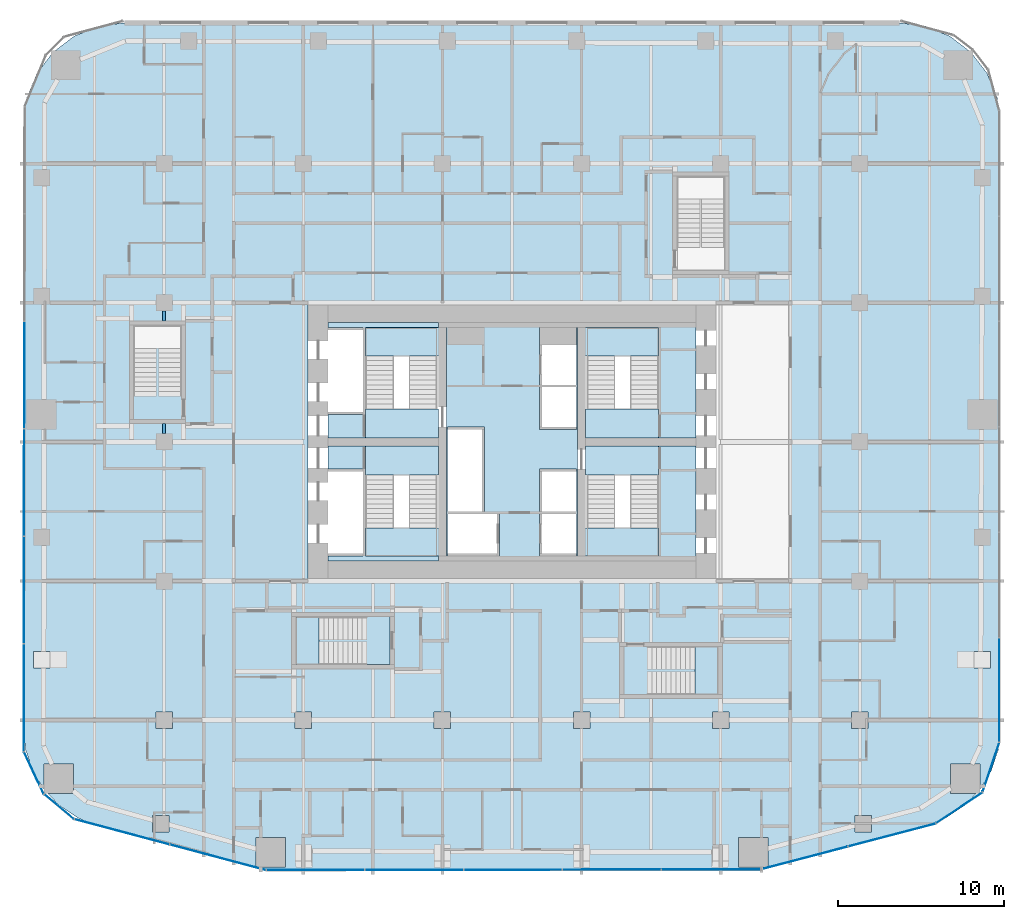
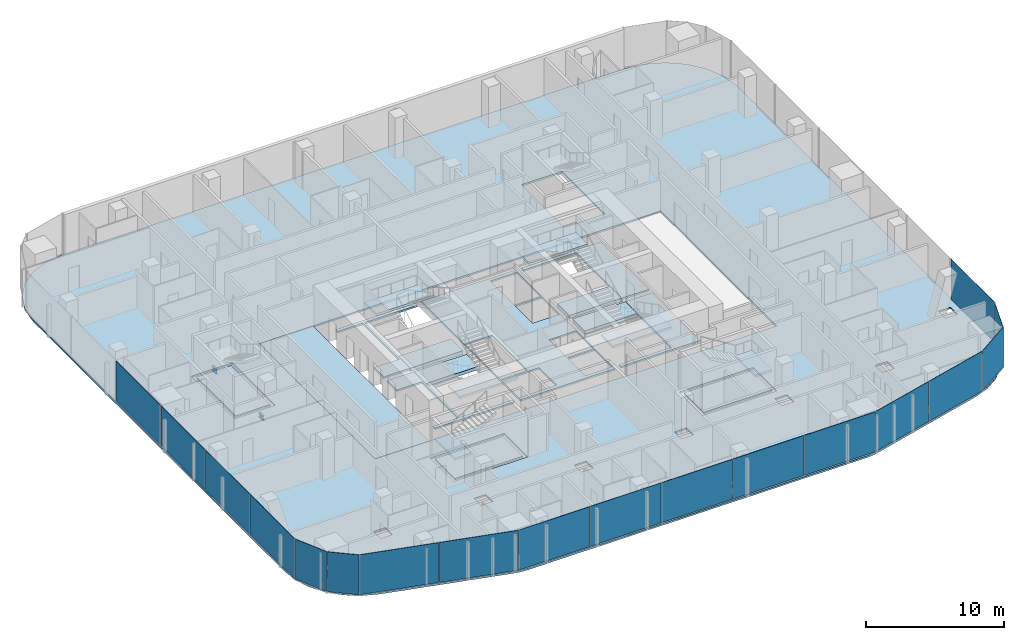
# One storey, part 15 of 27: 20 slabs, 18 plates, 2 beams, 15 elements without a shape of their own.
"""IFC4 building model written with IfcOpenShell, lengths in metres."""

from ifc_helpers import new_model, si_unit, direction, frame, origin, origin_2d, place, context, subcontext, project, spatial, polyline, rectangle, i_section, outline, extrude, material, layer, layer_set, material_profile, profile_set, type_object, element, aggregate, save


model = new_model("IFC4")

# Units and contexts
model_context = context("Model", 3, precision=1e-05, world=origin(), true_north=direction((0.0, 1.0)))
body_context = subcontext(model_context, "Body", "Model", "MODEL_VIEW")
ifc_project = project(units=[si_unit("LENGTHUNIT", "METRE"), si_unit("AREAUNIT", "SQUARE_METRE"), si_unit("VOLUMEUNIT", "CUBIC_METRE"), si_unit("PLANEANGLEUNIT", "RADIAN"), si_unit("MASSUNIT", "GRAM", prefix="KILO")], contexts=[model_context])

# Site, building, storey
site_placement = place(None, origin())
site = spatial("IfcSite", under=ifc_project, at=site_placement, CompositionType="ELEMENT")
building_placement = place(site_placement, origin())
building = spatial("IfcBuilding", under=site, at=building_placement, Name="Marenta Gate Hotel Tower", CompositionType="ELEMENT")
storey_placement = place(building_placement, frame((0.0, 0.0, 36.5)))
storey = spatial("IfcBuildingStorey", under=building, at=storey_placement, Name="L06", CompositionType="ELEMENT", Elevation=36.5)

# Beams
ifc_material_1 = material(Name="Steel S355", Category="steel")
ifc_material_profile = material_profile(ifc_material_1, i_section(OverallWidth=0.179931640625, OverallDepth=0.39990234375, WebThickness=0.008544921875, FlangeThickness=0.013427734375, FilletRadius=0.02099609375, at=origin_2d()), Name="IPE 400")
ifc_profile_set = profile_set([ifc_material_profile], Name="Steel S355")
beam_type = type_object("IfcBeamType", Name="Floor beam IPE 400", PredefinedType="JOIST", material=ifc_profile_set)
for number, where, z_axis, x_axis, name in (
    (1, (-21.0, 8.89990234375, -0.35009765625), (0.0, 1.0, 0.0), (-1.0, 0.0, 0.0), "L06-FB-10"),
    (2, (-21.0, 15.699951171875, -0.35009765625), (0.0, 1.0, 0.0), (-1.0, 0.0, 0.0), "L06-FB-11"),
):
    element("IfcBeam", number, at=place(storey_placement, frame(where, z_axis=z_axis, x_axis=x_axis)), inside=storey, type_object=beam_type, Name=name, PredefinedType="JOIST", context=body_context, shape_type="SweptSolid", body=[
        extrude(i_section(OverallWidth=0.179931640625, OverallDepth=0.39990234375, WebThickness=0.008544921875, FlangeThickness=0.013427734375, FilletRadius=0.02099609375, at=origin_2d()), origin(), (0.0, 0.0, 1.0), 0.60009765625),
    ])

# Slabs
ifc_material_2 = material(Name="Concrete C35", Category="concrete")
ifc_layer_1 = layer(ifc_material_2, 0.14990234375)
ifc_layer_set_1 = layer_set([ifc_layer_1], Name="Concrete C35")
slab_type_1 = type_object("IfcSlabType", Name="Composite floor slab 150", PredefinedType="FLOOR", material=ifc_layer_set_1)
slab_1_placement = place(storey_placement, frame((0.0, 0.0, -0.14990234375)))
element("IfcSlab", 3, at=slab_1_placement, inside=storey, type_object=slab_type_1, Name="L06-SL-1", PredefinedType="FLOOR", context=body_context, shape_type="SweptSolid", body=[
    extrude(outline(polyline([(-27.313720703125, -13.56396484375), (-28.015625, -12.8330078125), (-26.462890625, -12.8330078125), (-26.462890625, -11.032958984375), (-28.262939453125, -11.032958984375), (-28.262939453125, -12.55859375), (-28.927001953125, -11.467041015625), (-29.35546875, -10.20703125), (-29.5, -8.889892578125), (-29.5, 27.6064453125), (-29.29296875, 29.178955078125), (-28.68359375, 30.650390625), (-27.7138671875, 31.913818359375), (-26.450439453125, 32.883544921875), (-24.97900390625, 33.492919921875), (-23.406494140625, 33.699951171875), (23.406494140625, 33.699951171875), (24.97900390625, 33.492919921875), (26.450439453125, 32.883544921875), (27.7138671875, 31.913818359375), (28.68359375, 30.650390625), (29.29296875, 29.178955078125), (29.5, 27.6064453125), (29.5, -8.889892578125), (29.35546875, -10.20703125), (28.927001953125, -11.467041015625), (28.262939453125, -12.55859375), (28.262939453125, -11.032958984375), (26.462890625, -11.032958984375), (26.462890625, -12.8330078125), (28.015625, -12.8330078125), (27.313720703125, -13.56396484375), (26.205810546875, -14.30126953125), (24.969482421875, -14.77880859375), (15.2265625, -17.36376953125), (14.70849609375, -17.4658203125), (14.181640625, -17.5), (-14.181640625, -17.5), (-14.70849609375, -17.4658203125), (-15.2265625, -17.36376953125), (-24.969482421875, -14.77880859375), (-26.205810546875, -14.30126953125), (-27.313720703125, -13.56396484375)]), holes=[polyline([(-16.800048828125, 0.0), (16.800048828125, 0.0), (16.800048828125, 16.800048828125), (-16.800048828125, 16.800048828125), (-16.800048828125, 0.0)]), polyline([(-15.46630859375, -17.27490234375), (-13.666259765625, -17.27490234375), (-13.666259765625, -15.474853515625), (-15.46630859375, -15.474853515625), (-15.46630859375, -17.27490234375)]), polyline([(-21.706787109375, -14.13916015625), (-21.706787109375, -15.13916015625), (-20.706787109375, -15.13916015625), (-20.706787109375, -14.13916015625), (-21.706787109375, -14.13916015625)]), polyline([(-21.5, -7.89990234375), (-21.5, -8.89990234375), (-20.5, -8.89990234375), (-20.5, -7.89990234375), (-21.5, -7.89990234375)]), polyline([(-13.10009765625, -7.89990234375), (-13.10009765625, -8.89990234375), (-12.10009765625, -8.89990234375), (-12.10009765625, -7.89990234375), (-13.10009765625, -7.89990234375)]), polyline([(-4.699951171875, -7.89990234375), (-4.699951171875, -8.89990234375), (-3.699951171875, -8.89990234375), (-3.699951171875, -7.89990234375), (-4.699951171875, -7.89990234375)]), polyline([(-28.89990234375, -4.251953125), (-28.89990234375, -5.251953125), (-27.89990234375, -5.251953125), (-27.89990234375, -4.251953125), (-28.89990234375, -4.251953125)]), polyline([(13.666259765625, -17.27490234375), (15.46630859375, -17.27490234375), (15.46630859375, -15.474853515625), (13.666259765625, -15.474853515625), (13.666259765625, -17.27490234375)]), polyline([(20.706787109375, -14.13916015625), (20.706787109375, -15.13916015625), (21.706787109375, -15.13916015625), (21.706787109375, -14.13916015625), (20.706787109375, -14.13916015625)]), polyline([(3.699951171875, -7.89990234375), (3.699951171875, -8.89990234375), (4.699951171875, -8.89990234375), (4.699951171875, -7.89990234375), (3.699951171875, -7.89990234375)]), polyline([(12.10009765625, -7.89990234375), (12.10009765625, -8.89990234375), (13.10009765625, -8.89990234375), (13.10009765625, -7.89990234375), (12.10009765625, -7.89990234375)]), polyline([(20.5, -7.89990234375), (20.5, -8.89990234375), (21.5, -8.89990234375), (21.5, -7.89990234375), (20.5, -7.89990234375)]), polyline([(27.89990234375, -4.251953125), (27.89990234375, -5.251953125), (28.89990234375, -5.251953125), (28.89990234375, -4.251953125), (27.89990234375, -4.251953125)]), polyline([(6.5, -7.10009765625), (12.699951171875, -7.10009765625), (12.699951171875, -3.699951171875), (6.5, -3.699951171875), (6.5, -7.10009765625)]), polyline([(-13.300048828125, -5.300048828125), (-7.10009765625, -5.300048828125), (-7.10009765625, -1.89990234375), (-13.300048828125, -1.89990234375), (-13.300048828125, -5.300048828125)]), polyline([(-23.10009765625, 9.5), (-19.699951171875, 9.5), (-19.699951171875, 15.699951171875), (-23.10009765625, 15.699951171875), (-23.10009765625, 9.5)]), polyline([(9.699951171875, 18.5), (13.10009765625, 18.5), (13.10009765625, 24.699951171875), (9.699951171875, 24.699951171875), (9.699951171875, 18.5)])]), origin(), (0.0, 0.0, 1.0), 0.14990234375),
])
ifc_material_3 = material(Name="Concrete C40", Category="concrete")
ifc_layer_2 = layer(ifc_material_3, 0.14990234375)
ifc_layer_set_2 = layer_set([ifc_layer_2], Name="Concrete C40")
slab_type_2 = type_object("IfcSlabType", Name="Core floor slab 150", PredefinedType="FLOOR", material=ifc_layer_set_2)
slab_2_placement = place(storey_placement, frame((0.0, 0.0, -0.14990234375)))
element("IfcSlab", 4, at=slab_2_placement, inside=storey, type_object=slab_type_2, Name="L06-CF-2", PredefinedType="FLOOR", context=body_context, shape_type="SweptSolid", body=[
    extrude(outline(polyline([(8.85009765625, 1.5), (8.85009765625, 6.39990234375), (8.85009765625, 8.10009765625), (8.85009765625, 8.14990234375), (11.10009765625, 8.14990234375), (11.10009765625, 1.199951171875), (4.449951171875, 1.199951171875), (4.449951171875, 1.5), (8.85009765625, 1.5)])), origin(), (0.0, 0.0, 1.0), 0.14990234375),
])
slab_3_placement = place(storey_placement, frame((0.0, 0.0, -0.14990234375)))
element("IfcSlab", 5, at=slab_3_placement, inside=storey, type_object=slab_type_2, Name="L06-CF-3", PredefinedType="FLOOR", context=body_context, shape_type="SweptSolid", body=[
    extrude(outline(polyline([(8.85009765625, 15.300048828125), (4.449951171875, 15.300048828125), (4.449951171875, 15.60009765625), (11.10009765625, 15.60009765625), (11.10009765625, 8.64990234375), (8.85009765625, 8.64990234375), (8.85009765625, 8.699951171875), (8.85009765625, 10.39990234375), (8.85009765625, 15.300048828125)])), origin(), (0.0, 0.0, 1.0), 0.14990234375),
])
slab_4_placement = place(storey_placement, frame((0.0, 0.0, -0.14990234375)))
element("IfcSlab", 6, at=slab_4_placement, inside=storey, type_object=slab_type_2, Name="L06-CF-4", PredefinedType="FLOOR", context=body_context, shape_type="SweptSolid", body=[
    extrude(outline(polyline([(3.949951171875, 15.300048828125), (3.949951171875, 10.39990234375), (3.949951171875, 6.39990234375), (3.949951171875, 1.5), (3.949951171875, 1.199951171875), (-3.949951171875, 1.199951171875), (-3.949951171875, 1.5), (-3.949951171875, 6.39990234375), (-3.949951171875, 10.39990234375), (-3.949951171875, 15.300048828125), (-3.949951171875, 15.60009765625), (3.949951171875, 15.60009765625), (3.949951171875, 15.300048828125)]), holes=[polyline([(1.64990234375, 4.050048828125), (1.64990234375, 1.64990234375), (1.64990234375, 1.5), (3.89990234375, 1.5), (3.89990234375, 1.64990234375), (3.89990234375, 4.050048828125), (1.800048828125, 4.050048828125), (1.64990234375, 4.050048828125)]), polyline([(1.64990234375, 9.14990234375), (3.89990234375, 9.14990234375), (3.89990234375, 9.300048828125), (3.89990234375, 11.699951171875), (1.800048828125, 11.699951171875), (1.64990234375, 11.699951171875), (1.64990234375, 9.300048828125), (1.64990234375, 9.14990234375)]), polyline([(1.64990234375, 11.85009765625), (1.800048828125, 11.85009765625), (3.89990234375, 11.85009765625), (3.89990234375, 14.25), (3.89990234375, 15.300048828125), (1.64990234375, 15.300048828125), (1.64990234375, 14.25), (1.64990234375, 11.85009765625)]), polyline([(3.89990234375, 6.60009765625), (3.89990234375, 6.75), (1.64990234375, 6.75), (1.64990234375, 6.60009765625), (1.64990234375, 4.199951171875), (1.800048828125, 4.199951171875), (3.89990234375, 4.199951171875), (3.89990234375, 6.60009765625)]), polyline([(-3.89990234375, 1.5), (-0.89990234375, 1.5), (-0.75, 1.5), (-0.75, 4.050048828125), (-0.89990234375, 4.050048828125), (-3.89990234375, 4.050048828125), (-3.89990234375, 1.64990234375), (-3.89990234375, 1.5)]), polyline([(-1.64990234375, 4.199951171875), (-1.64990234375, 9.14990234375), (-1.64990234375, 9.300048828125), (-3.89990234375, 9.300048828125), (-3.89990234375, 9.14990234375), (-3.89990234375, 6.75), (-3.89990234375, 6.60009765625), (-3.89990234375, 4.199951171875), (-1.800048828125, 4.199951171875), (-1.64990234375, 4.199951171875)])]), origin(), (0.0, 0.0, 1.0), 0.14990234375),
])
slab_5_placement = place(storey_placement, frame((0.0, 0.0, -0.14990234375)))
element("IfcSlab", 7, at=slab_5_placement, inside=storey, type_object=slab_type_2, Name="L06-CF-5", PredefinedType="FLOOR", context=body_context, shape_type="SweptSolid", body=[
    extrude(outline(polyline([(-9.0, 1.5), (-9.0, 1.64990234375), (-9.0, 4.050048828125), (-9.0, 4.199951171875), (-9.0, 6.60009765625), (-9.0, 6.75), (-11.10009765625, 6.75), (-11.10009765625, 8.14990234375), (-8.85009765625, 8.14990234375), (-8.85009765625, 8.10009765625), (-8.85009765625, 6.39990234375), (-8.85009765625, 1.5), (-4.449951171875, 1.5), (-4.449951171875, 1.199951171875), (-11.10009765625, 1.199951171875), (-11.10009765625, 1.5), (-9.0, 1.5)])), origin(), (0.0, 0.0, 1.0), 0.14990234375),
])
slab_6_placement = place(storey_placement, frame((0.0, 0.0, -0.14990234375)))
element("IfcSlab", 8, at=slab_6_placement, inside=storey, type_object=slab_type_2, Name="L06-CF-6", PredefinedType="FLOOR", context=body_context, shape_type="SweptSolid", body=[
    extrude(outline(polyline([(-4.449951171875, 15.300048828125), (-8.85009765625, 15.300048828125), (-8.85009765625, 10.39990234375), (-8.85009765625, 8.699951171875), (-8.85009765625, 8.64990234375), (-11.10009765625, 8.64990234375), (-11.10009765625, 10.050048828125), (-9.0, 10.050048828125), (-9.0, 10.199951171875), (-9.0, 12.60009765625), (-9.0, 12.75), (-9.0, 15.14990234375), (-9.0, 15.300048828125), (-11.10009765625, 15.300048828125), (-11.10009765625, 15.60009765625), (-4.449951171875, 15.60009765625), (-4.449951171875, 15.300048828125)])), origin(), (0.0, 0.0, 1.0), 0.14990234375),
])
slab_7_placement = place(storey_placement, frame((0.0, 0.0, -0.14990234375)))
element("IfcSlab", 9, at=slab_7_placement, inside=storey, type_object=slab_type_2, Name="L06-CF-7", PredefinedType="FLOOR", context=body_context, shape_type="SweptSolid", body=[
    extrude(outline(polyline([(-12.300048828125, 16.800048828125), (-12.300048828125, 0.0), (-16.800048828125, 0.0), (-16.800048828125, 16.800048828125), (-12.300048828125, 16.800048828125)])), origin(), (0.0, 0.0, 1.0), 0.14990234375),
])

# Stair, slab
ifc_material_4 = material(Name="Concrete C40", Category="concrete")
stair_type_1 = type_object("IfcStairType", Name="Core exit stair 1700 wide", PredefinedType="HALF_TURN_STAIR", material=ifc_material_4)
stair_1_placement = place(storey_placement, origin())
stair_1 = element("IfcStair", 10, at=stair_1_placement, inside=storey, type_object=stair_type_1, Name="Exit stair 1", PredefinedType="HALF_TURN_STAIR")
ifc_material_5 = material(Name="Concrete C40", Category="concrete")
ifc_layer_3 = layer(ifc_material_5, 0.199951171875)
ifc_layer_set_3 = layer_set([ifc_layer_3], Name="Concrete C40")
slab_type_3 = type_object("IfcSlabType", Name="Core stair landing 200", PredefinedType="LANDING", material=ifc_layer_set_3)
slab_8_placement = place(storey_placement, frame((0.0, 0.0, 1.60009765625)))
slab_8 = element("IfcSlab", 11, at=slab_8_placement, type_object=slab_type_3, Name="SL-200 ST1 landing 1", PredefinedType="LANDING", context=body_context, shape_type="SweptSolid", body=[
    extrude(outline(polyline([(-8.85009765625, 1.5), (-3.949951171875, 1.5), (-3.949951171875, 3.2099609375), (-8.85009765625, 3.2099609375), (-8.85009765625, 1.5)])), origin(), (0.0, 0.0, 1.0), 0.199951171875),
])
aggregate(stair_1, [slab_8])

stair_2_placement = place(storey_placement, origin())
stair_2 = element("IfcStair", 12, at=stair_2_placement, inside=storey, type_object=stair_type_1, Name="Exit stair 2", PredefinedType="HALF_TURN_STAIR")
slab_9_placement = place(storey_placement, frame((0.0, 0.0, 1.60009765625)))
slab_9 = element("IfcSlab", 13, at=slab_9_placement, type_object=slab_type_3, Name="SL-200 ST2 landing 1", PredefinedType="LANDING", context=body_context, shape_type="SweptSolid", body=[
    extrude(outline(polyline([(-8.85009765625, 13.590087890625), (-3.949951171875, 13.590087890625), (-3.949951171875, 15.300048828125), (-8.85009765625, 15.300048828125), (-8.85009765625, 13.590087890625)])), origin(), (0.0, 0.0, 1.0), 0.199951171875),
])
aggregate(stair_2, [slab_9])

stair_3_placement = place(storey_placement, origin())
stair_3 = element("IfcStair", 14, at=stair_3_placement, inside=storey, type_object=stair_type_1, Name="Exit stair 3", PredefinedType="HALF_TURN_STAIR")
slab_10_placement = place(storey_placement, frame((0.0, 0.0, 1.60009765625)))
slab_10 = element("IfcSlab", 15, at=slab_10_placement, type_object=slab_type_3, Name="SL-200 ST3 landing 1", PredefinedType="LANDING", context=body_context, shape_type="SweptSolid", body=[
    extrude(outline(polyline([(3.949951171875, 1.5), (8.85009765625, 1.5), (8.85009765625, 3.2099609375), (3.949951171875, 3.2099609375), (3.949951171875, 1.5)])), origin(), (0.0, 0.0, 1.0), 0.199951171875),
])
aggregate(stair_3, [slab_10])

stair_4_placement = place(storey_placement, origin())
stair_4 = element("IfcStair", 16, at=stair_4_placement, inside=storey, type_object=stair_type_1, Name="Exit stair 4", PredefinedType="HALF_TURN_STAIR")
slab_11_placement = place(storey_placement, frame((0.0, 0.0, 1.60009765625)))
slab_11 = element("IfcSlab", 17, at=slab_11_placement, type_object=slab_type_3, Name="SL-200 ST4 landing 1", PredefinedType="LANDING", context=body_context, shape_type="SweptSolid", body=[
    extrude(outline(polyline([(3.949951171875, 13.590087890625), (8.85009765625, 13.590087890625), (8.85009765625, 15.300048828125), (3.949951171875, 15.300048828125), (3.949951171875, 13.590087890625)])), origin(), (0.0, 0.0, 1.0), 0.199951171875),
])
aggregate(stair_4, [slab_11])

# Curtain wall, plates
ifc_material_6 = material(Name="Tinted insulated glass in bronze anodised frame", Category="glass")
ifc_layer_4 = layer(ifc_material_6, 0.1201171875)
ifc_layer_set_4 = layer_set([ifc_layer_4], Name="Tinted insulated glass in bronze anodised frame")
curtain_wall_type = type_object("IfcCurtainWallType", Name="Tower unitised curtain wall CW1", PredefinedType="NOTDEFINED", material=ifc_layer_set_4)
curtain_wall_1_placement = place(storey_placement, origin())
curtain_wall_1 = element("IfcCurtainWall", 18, at=curtain_wall_1_placement, inside=storey, type_object=curtain_wall_type, Name="CW1 run G03", PredefinedType="NOTDEFINED")
ifc_material_7 = material(Name="Tinted insulated glass", Category="glass")
ifc_layer_5 = layer(ifc_material_7, 0.028076171875)
ifc_layer_set_5 = layer_set([ifc_layer_5], Name="Tinted insulated glass")
plate_type = type_object("IfcPlateType", Name="Glass panel CW1 28 mm tinted insulated unit", PredefinedType="CURTAIN_PANEL", material=ifc_layer_set_5)
plate_1_placement = place(storey_placement, frame((-29.437744140625, 12.440185546875, 0.06005859375), z_axis=(0.0, 0.0, 1.0), x_axis=(-0.00156642217, -0.99999877316, 0.0)))
plate_1 = element("IfcPlate", 19, at=plate_1_placement, type_object=plate_type, Name="CW1 panel 3.1", PredefinedType="CURTAIN_PANEL", context=body_context, shape_type="SweptSolid", body=[
    extrude(rectangle(XDim=6.430419921875, YDim=0.028076171875, at=origin_2d()), origin(), (0.0, 0.0, 1.0), 3.5400390625),
])
plate_2_placement = place(storey_placement, frame((-29.447998046875, 5.949951171875, 0.06005859375), z_axis=(0.0, 0.0, 1.0), x_axis=(-0.00156642217, -0.99999877316, 0.0)))
plate_2 = element("IfcPlate", 20, at=plate_2_placement, type_object=plate_type, Name="CW1 panel 4.1", PredefinedType="CURTAIN_PANEL", context=body_context, shape_type="SweptSolid", body=[
    extrude(rectangle(XDim=6.430419921875, YDim=0.028076171875, at=origin_2d()), origin(), (0.0, 0.0, 1.0), 3.5400390625),
])
plate_3_placement = place(storey_placement, frame((-29.4580078125, -0.54052734375, 0.06005859375), z_axis=(0.0, 0.0, 1.0), x_axis=(-0.00156642217, -0.99999877316, 0.0)))
plate_3 = element("IfcPlate", 21, at=plate_3_placement, type_object=plate_type, Name="CW1 panel 5.1", PredefinedType="CURTAIN_PANEL", context=body_context, shape_type="SweptSolid", body=[
    extrude(rectangle(XDim=6.430419921875, YDim=0.028076171875, at=origin_2d()), origin(), (0.0, 0.0, 1.0), 3.5400390625),
])
plate_4_placement = place(storey_placement, frame((-29.46826171875, -7.0458984375, 0.06005859375), z_axis=(0.0, 0.0, 1.0), x_axis=(-0.00156642217, -0.99999877316, 0.0)))
plate_4 = element("IfcPlate", 22, at=plate_4_placement, type_object=plate_type, Name="CW1 panel 6.1", PredefinedType="CURTAIN_PANEL", context=body_context, shape_type="SweptSolid", body=[
    extrude(rectangle(XDim=6.46044921875, YDim=0.028076171875, at=origin_2d()), origin(), (0.0, 0.0, 1.0), 3.5400390625),
])
aggregate(curtain_wall_1, [plate_1, plate_2, plate_3, plate_4])

# Curtain wall, plate
curtain_wall_2_placement = place(storey_placement, origin())
curtain_wall_2 = element("IfcCurtainWall", 23, at=curtain_wall_2_placement, inside=storey, type_object=curtain_wall_type, Name="CW1 run G04", PredefinedType="NOTDEFINED")
plate_5_placement = place(storey_placement, frame((-28.861083984375, -11.5859375, 0.06005859375), z_axis=(0.0, 0.0, 1.0), x_axis=(0.423341617441, -0.905970129167, 0.0)))
plate_5 = element("IfcPlate", 24, at=plate_5_placement, type_object=plate_type, Name="CW1 panel 1.1", PredefinedType="CURTAIN_PANEL", context=body_context, shape_type="SweptSolid", body=[
    extrude(rectangle(XDim=2.77197265625, YDim=0.028076171875, at=origin_2d()), origin(), (0.0, 0.0, 1.0), 3.5400390625),
])
aggregate(curtain_wall_2, [plate_5])

curtain_wall_3_placement = place(storey_placement, origin())
curtain_wall_3 = element("IfcCurtainWall", 25, at=curtain_wall_3_placement, inside=storey, type_object=curtain_wall_type, Name="CW1 run G05", PredefinedType="NOTDEFINED")
plate_6_placement = place(storey_placement, frame((-27.33984375, -13.623291015625, 0.06005859375), z_axis=(0.0, 0.0, 1.0), x_axis=(0.767113012445, -0.641511984407, 0.0)))
plate_6 = element("IfcPlate", 26, at=plate_6_placement, type_object=plate_type, Name="CW1 panel 1.1", PredefinedType="CURTAIN_PANEL", context=body_context, shape_type="SweptSolid", body=[
    extrude(rectangle(XDim=2.316650390625, YDim=0.028076171875, at=origin_2d()), origin(), (0.0, 0.0, 1.0), 3.5400390625),
])
aggregate(curtain_wall_3, [plate_6])

# Curtain wall, plates
curtain_wall_4_placement = place(storey_placement, origin())
curtain_wall_4 = element("IfcCurtainWall", 27, at=curtain_wall_4_placement, inside=storey, type_object=curtain_wall_type, Name="CW1 run G06", PredefinedType="NOTDEFINED")
plate_7_placement = place(storey_placement, frame((-23.541748046875, -15.140625, 0.06005859375), z_axis=(0.0, 0.0, 1.0), x_axis=(0.966373715782, -0.257141675823, 0.0)))
plate_7 = element("IfcPlate", 28, at=plate_7_placement, type_object=plate_type, Name="CW1 panel 1.1", PredefinedType="CURTAIN_PANEL", context=body_context, shape_type="SweptSolid", body=[
    extrude(rectangle(XDim=5.90185546875, YDim=0.028076171875, at=origin_2d()), origin(), (0.0, 0.0, 1.0), 3.5400390625),
])
plate_8_placement = place(storey_placement, frame((-17.751220703125, -16.681396484375, 0.06005859375), z_axis=(0.0, 0.0, 1.0), x_axis=(0.966373715782, -0.257141675823, 0.0)))
plate_8 = element("IfcPlate", 29, at=plate_8_placement, type_object=plate_type, Name="CW1 panel 2.1", PredefinedType="CURTAIN_PANEL", context=body_context, shape_type="SweptSolid", body=[
    extrude(rectangle(XDim=5.9619140625, YDim=0.028076171875, at=origin_2d()), origin(), (0.0, 0.0, 1.0), 3.5400390625),
])
aggregate(curtain_wall_4, [plate_7, plate_8])

curtain_wall_5_placement = place(storey_placement, origin())
curtain_wall_5 = element("IfcCurtainWall", 30, at=curtain_wall_5_placement, inside=storey, type_object=curtain_wall_type, Name="CW1 run G07", PredefinedType="NOTDEFINED")
plate_9_placement = place(storey_placement, frame((-11.869140625, -17.4443359375, 0.06005859375), z_axis=(0.0, 0.0, 1.0), x_axis=(0.999999324969, 0.001161921639, 0.0)))
plate_9 = element("IfcPlate", 31, at=plate_9_placement, type_object=plate_type, Name="CW1 panel 1.1", PredefinedType="CURTAIN_PANEL", context=body_context, shape_type="SweptSolid", body=[
    extrude(rectangle(XDim=5.8828125, YDim=0.028076171875, at=origin_2d()), origin(), (0.0, 0.0, 1.0), 3.5400390625),
])
plate_10_placement = place(storey_placement, frame((-5.911376953125, -17.4375, 0.06005859375), z_axis=(0.0, 0.0, 1.0), x_axis=(0.999999324969, 0.001161921639, 0.0)))
plate_10 = element("IfcPlate", 32, at=plate_10_placement, type_object=plate_type, Name="CW1 panel 2.1", PredefinedType="CURTAIN_PANEL", context=body_context, shape_type="SweptSolid", body=[
    extrude(rectangle(XDim=5.912841796875, YDim=0.028076171875, at=origin_2d()), origin(), (0.0, 0.0, 1.0), 3.5400390625),
])
plate_11_placement = place(storey_placement, frame((0.0615234375, -17.430419921875, 0.06005859375), z_axis=(0.0, 0.0, 1.0), x_axis=(0.999999324969, 0.001161921639, 0.0)))
plate_11 = element("IfcPlate", 33, at=plate_11_placement, type_object=plate_type, Name="CW1 panel 3.1", PredefinedType="CURTAIN_PANEL", context=body_context, shape_type="SweptSolid", body=[
    extrude(rectangle(XDim=5.912841796875, YDim=0.028076171875, at=origin_2d()), origin(), (0.0, 0.0, 1.0), 3.5400390625),
])
plate_12_placement = place(storey_placement, frame((6.034423828125, -17.423583984375, 0.06005859375), z_axis=(0.0, 0.0, 1.0), x_axis=(0.999999324969, 0.001161921639, 0.0)))
plate_12 = element("IfcPlate", 34, at=plate_12_placement, type_object=plate_type, Name="CW1 panel 4.1", PredefinedType="CURTAIN_PANEL", context=body_context, shape_type="SweptSolid", body=[
    extrude(rectangle(XDim=5.912841796875, YDim=0.028076171875, at=origin_2d()), origin(), (0.0, 0.0, 1.0), 3.5400390625),
])
plate_13_placement = place(storey_placement, frame((12.022216796875, -17.41650390625, 0.06005859375), z_axis=(0.0, 0.0, 1.0), x_axis=(0.999999324969, 0.001161921639, 0.0)))
plate_13 = element("IfcPlate", 35, at=plate_13_placement, type_object=plate_type, Name="CW1 panel 5.1", PredefinedType="CURTAIN_PANEL", context=body_context, shape_type="SweptSolid", body=[
    extrude(rectangle(XDim=5.94287109375, YDim=0.028076171875, at=origin_2d()), origin(), (0.0, 0.0, 1.0), 3.5400390625),
])
aggregate(curtain_wall_5, [plate_9, plate_10, plate_11, plate_12, plate_13])

curtain_wall_6_placement = place(storey_placement, origin())
curtain_wall_6 = element("IfcCurtainWall", 36, at=curtain_wall_6_placement, inside=storey, type_object=curtain_wall_type, Name="CW1 run G08", PredefinedType="NOTDEFINED")
plate_14_placement = place(storey_placement, frame((17.651611328125, -16.717041015625, 0.06005859375), z_axis=(0.0, 0.0, 1.0), x_axis=(0.967368966674, 0.25337182621, 0.0)))
plate_14 = element("IfcPlate", 37, at=plate_14_placement, type_object=plate_type, Name="CW1 panel 1.1", PredefinedType="CURTAIN_PANEL", context=body_context, shape_type="SweptSolid", body=[
    extrude(rectangle(XDim=5.375244140625, YDim=0.028076171875, at=origin_2d()), origin(), (0.0, 0.0, 1.0), 3.5400390625),
])
plate_15_placement = place(storey_placement, frame((22.938720703125, -15.332275390625, 0.06005859375), z_axis=(0.0, 0.0, 1.0), x_axis=(0.967368966674, 0.25337182621, 0.0)))
plate_15 = element("IfcPlate", 38, at=plate_15_placement, type_object=plate_type, Name="CW1 panel 2.1", PredefinedType="CURTAIN_PANEL", context=body_context, shape_type="SweptSolid", body=[
    extrude(rectangle(XDim=5.435302734375, YDim=0.028076171875, at=origin_2d()), origin(), (0.0, 0.0, 1.0), 3.5400390625),
])
aggregate(curtain_wall_6, [plate_14, plate_15])

# Curtain wall, plate
curtain_wall_7_placement = place(storey_placement, origin())
curtain_wall_7 = element("IfcCurtainWall", 39, at=curtain_wall_7_placement, inside=storey, type_object=curtain_wall_type, Name="CW1 run G09", PredefinedType="NOTDEFINED")
plate_16_placement = place(storey_placement, frame((27.006591796875, -13.685791015625, 0.06005859375), z_axis=(0.0, 0.0, 1.0), x_axis=(0.832493824282, 0.554034324326, 0.0)))
plate_16 = element("IfcPlate", 40, at=plate_16_placement, type_object=plate_type, Name="CW1 panel 1.1", PredefinedType="CURTAIN_PANEL", context=body_context, shape_type="SweptSolid", body=[
    extrude(rectangle(XDim=3.33740234375, YDim=0.028076171875, at=origin_2d()), origin(), (0.0, 0.0, 1.0), 3.5400390625),
])
aggregate(curtain_wall_7, [plate_16])

curtain_wall_8_placement = place(storey_placement, origin())
curtain_wall_8 = element("IfcCurtainWall", 41, at=curtain_wall_8_placement, inside=storey, type_object=curtain_wall_type, Name="CW1 run G10", PredefinedType="NOTDEFINED")
plate_17_placement = place(storey_placement, frame((28.91455078125, -11.236328125, 0.06005859375), z_axis=(0.0, 0.0, 1.0), x_axis=(0.322028604337, 0.946729939312, 0.0)))
plate_17 = element("IfcPlate", 42, at=plate_17_placement, type_object=plate_type, Name="CW1 panel 1.1", PredefinedType="CURTAIN_PANEL", context=body_context, shape_type="SweptSolid", body=[
    extrude(rectangle(XDim=3.101806640625, YDim=0.028076171875, at=origin_2d()), origin(), (0.0, 0.0, 1.0), 3.5400390625),
])
aggregate(curtain_wall_8, [plate_17])

curtain_wall_9_placement = place(storey_placement, origin())
curtain_wall_9 = element("IfcCurtainWall", 43, at=curtain_wall_9_placement, inside=storey, type_object=curtain_wall_type, Name="CW1 run G11", PredefinedType="NOTDEFINED")
plate_18_placement = place(storey_placement, frame((29.4140625, -6.572998046875, 0.06005859375), z_axis=(0.0, 0.0, 1.0), x_axis=(0.0, 1.0, 0.0)))
plate_18 = element("IfcPlate", 44, at=plate_18_placement, type_object=plate_type, Name="CW1 panel 1.1", PredefinedType="CURTAIN_PANEL", context=body_context, shape_type="SweptSolid", body=[
    extrude(rectangle(XDim=6.27001953125, YDim=0.028076171875, at=origin_2d()), origin(), (0.0, 0.0, 1.0), 3.5400390625),
])
aggregate(curtain_wall_9, [plate_18])

# Stair, slab
ifc_material_8 = material(Name="Concrete C40", Category="concrete")
stair_type_2 = type_object("IfcStairType", Name="Remote exit stair 1400 wide", PredefinedType="HALF_TURN_STAIR", material=ifc_material_8)
stair_5_placement = place(storey_placement, origin())
stair_5 = element("IfcStair", 45, at=stair_5_placement, inside=storey, type_object=stair_type_2, Name="Exit stair RS-Z1-1", PredefinedType="HALF_TURN_STAIR")
ifc_material_9 = material(Name="Concrete C40", Category="concrete")
ifc_layer_6 = layer(ifc_material_9, 0.199951171875)
ifc_layer_set_6 = layer_set([ifc_layer_6], Name="Concrete C40")
slab_type_4 = type_object("IfcSlabType", Name="Remote stair landing 200", PredefinedType="LANDING", material=ifc_layer_set_6)
slab_12_placement = place(storey_placement, frame((0.0, 0.0, 1.60009765625)))
slab_12 = element("IfcSlab", 46, at=slab_12_placement, type_object=slab_type_4, Name="RL-200 RS-Z1-1 landing 1", PredefinedType="LANDING", context=body_context, shape_type="SweptSolid", body=[
    extrude(outline(polyline([(11.050048828125, -6.85009765625), (12.449951171875, -6.85009765625), (12.449951171875, -3.949951171875), (11.050048828125, -3.949951171875), (11.050048828125, -6.85009765625)])), origin(), (0.0, 0.0, 1.0), 0.199951171875),
])
aggregate(stair_5, [slab_12])

stair_6_placement = place(storey_placement, origin())
stair_6 = element("IfcStair", 47, at=stair_6_placement, inside=storey, type_object=stair_type_2, Name="Exit stair RS-Z1-2", PredefinedType="HALF_TURN_STAIR")
slab_13_placement = place(storey_placement, frame((0.0, 0.0, 1.60009765625)))
slab_13 = element("IfcSlab", 48, at=slab_13_placement, type_object=slab_type_4, Name="RL-200 RS-Z1-2 landing 1", PredefinedType="LANDING", context=body_context, shape_type="SweptSolid", body=[
    extrude(outline(polyline([(-13.050048828125, -5.050048828125), (-11.64990234375, -5.050048828125), (-11.64990234375, -2.14990234375), (-13.050048828125, -2.14990234375), (-13.050048828125, -5.050048828125)])), origin(), (0.0, 0.0, 1.0), 0.199951171875),
])
aggregate(stair_6, [slab_13])

# Slabs
ifc_material_10 = material(Name="Concrete C40", Category="concrete")
ifc_layer_7 = layer(ifc_material_10, 0.300048828125)
ifc_layer_set_7 = layer_set([ifc_layer_7], Name="Concrete C40")
slab_type_5 = type_object("IfcSlabType", Name="Stair floor landing slab 300", PredefinedType="FLOOR", material=ifc_layer_set_7)
slab_14_placement = place(storey_placement, frame((0.0, 0.0, -0.300048828125)))
element("IfcSlab", 49, at=slab_14_placement, inside=storey, type_object=slab_type_5, Name="L06-CL-ST1-1", PredefinedType="FLOOR", context=body_context, shape_type="SweptSolid", body=[
    extrude(outline(polyline([(-4.449951171875, 6.39990234375), (-8.85009765625, 6.39990234375), (-8.85009765625, 8.10009765625), (-8.85009765625, 8.14990234375), (-4.449951171875, 8.14990234375), (-4.449951171875, 6.39990234375)])), origin(), (0.0, 0.0, 1.0), 0.300048828125),
])
slab_15_placement = place(storey_placement, frame((0.0, 0.0, -0.300048828125)))
element("IfcSlab", 50, at=slab_15_placement, inside=storey, type_object=slab_type_5, Name="L06-CL-ST2-1", PredefinedType="FLOOR", context=body_context, shape_type="SweptSolid", body=[
    extrude(outline(polyline([(-4.449951171875, 8.64990234375), (-8.85009765625, 8.64990234375), (-8.85009765625, 8.699951171875), (-8.85009765625, 10.39990234375), (-4.449951171875, 10.39990234375), (-4.449951171875, 8.64990234375)])), origin(), (0.0, 0.0, 1.0), 0.300048828125),
])
slab_16_placement = place(storey_placement, frame((0.0, 0.0, -0.300048828125)))
element("IfcSlab", 51, at=slab_16_placement, inside=storey, type_object=slab_type_5, Name="L06-CL-ST3-1", PredefinedType="FLOOR", context=body_context, shape_type="SweptSolid", body=[
    extrude(outline(polyline([(4.449951171875, 6.39990234375), (4.449951171875, 8.14990234375), (8.85009765625, 8.14990234375), (8.85009765625, 8.10009765625), (8.85009765625, 6.39990234375), (4.449951171875, 6.39990234375)])), origin(), (0.0, 0.0, 1.0), 0.300048828125),
])
slab_17_placement = place(storey_placement, frame((0.0, 0.0, -0.300048828125)))
element("IfcSlab", 52, at=slab_17_placement, inside=storey, type_object=slab_type_5, Name="L06-CL-ST4-1", PredefinedType="FLOOR", context=body_context, shape_type="SweptSolid", body=[
    extrude(outline(polyline([(4.449951171875, 8.64990234375), (4.449951171875, 10.39990234375), (8.85009765625, 10.39990234375), (8.85009765625, 8.699951171875), (8.85009765625, 8.64990234375), (4.449951171875, 8.64990234375)])), origin(), (0.0, 0.0, 1.0), 0.300048828125),
])
slab_18_placement = place(storey_placement, frame((0.0, 0.0, -0.14990234375)))
element("IfcSlab", 53, at=slab_18_placement, inside=storey, type_object=slab_type_5, Name="L06-RS-Z1-1-CL", PredefinedType="FLOOR", context=body_context, shape_type="SweptSolid", body=[
    extrude(outline(polyline([(12.449951171875, -6.85009765625), (12.449951171875, -3.949951171875), (6.75, -3.949951171875), (6.75, -6.85009765625), (12.449951171875, -6.85009765625)])), origin(), (0.0, 0.0, 1.0), 0.14990234375),
])
slab_19_placement = place(storey_placement, frame((0.0, 0.0, -0.14990234375)))
element("IfcSlab", 54, at=slab_19_placement, inside=storey, type_object=slab_type_5, Name="L06-RS-Z1-2-CL", PredefinedType="FLOOR", context=body_context, shape_type="SweptSolid", body=[
    extrude(outline(polyline([(-7.35009765625, -5.050048828125), (-7.35009765625, -2.14990234375), (-13.050048828125, -2.14990234375), (-13.050048828125, -5.050048828125), (-7.35009765625, -5.050048828125)])), origin(), (0.0, 0.0, 1.0), 0.14990234375),
])
slab_20_placement = place(storey_placement, frame((0.0, 0.0, -0.14990234375)))
element("IfcSlab", 55, at=slab_20_placement, inside=storey, type_object=slab_type_5, Name="L06-RS-Z1-3-CL", PredefinedType="FLOOR", context=body_context, shape_type="SweptSolid", body=[
    extrude(outline(polyline([(-19.949951171875, 9.75), (-19.949951171875, 15.449951171875), (-22.85009765625, 15.449951171875), (-22.85009765625, 9.75), (-19.949951171875, 9.75)])), origin(), (0.0, 0.0, 1.0), 0.14990234375),
])

save(model, "model.ifc")
